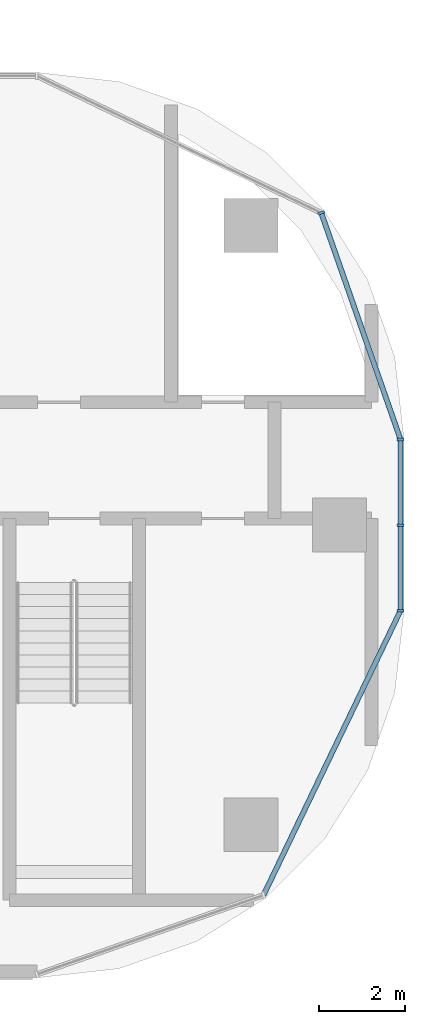
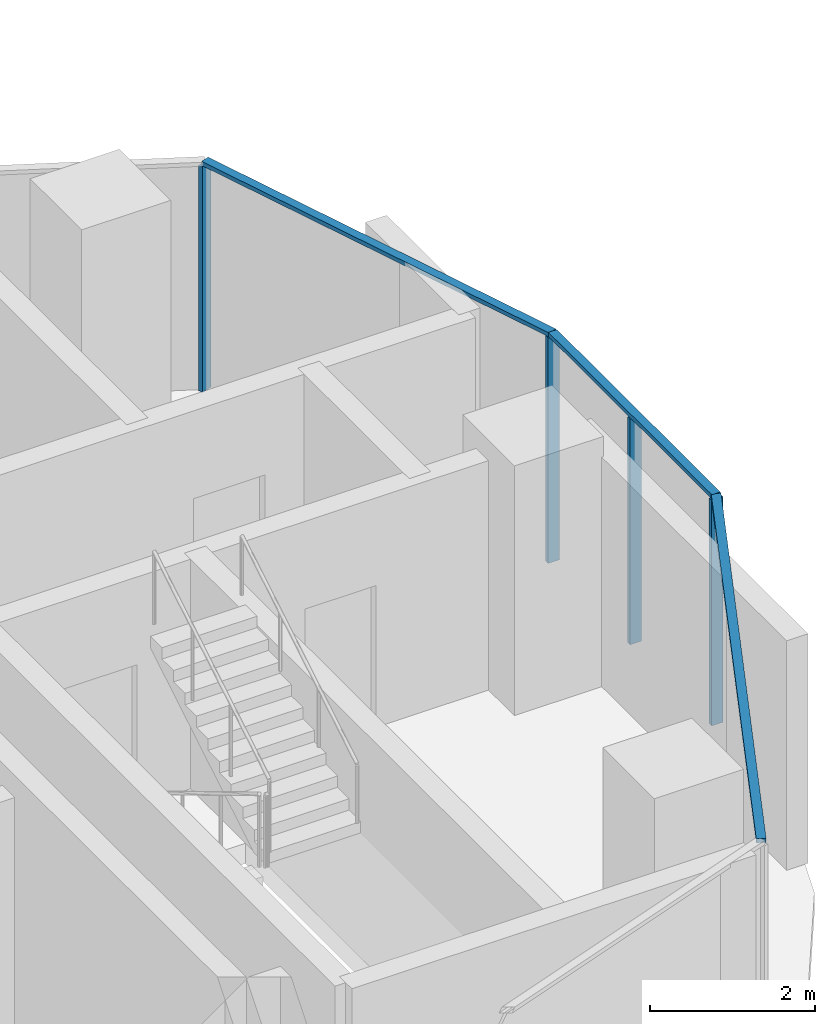
# One storey, part 5 of 21: 7 members, 3 elements without a shape of their own.
"""IFC4 building model written with IfcOpenShell, lengths in metres."""

from ifc_helpers import new_model, si_unit, direction, frame, origin, origin_2d, place, context, subcontext, project, spatial, rectangle, extrude, material, material_profile, profile_set, type_object, element, aggregate, save


model = new_model("IFC4")

# Units and contexts
model_context = context("Model", 3, precision=1e-05, world=origin(), true_north=direction((0.0, 1.0)))
body_context = subcontext(model_context, "Body", "Model", "MODEL_VIEW")
ifc_project = project(units=[si_unit("LENGTHUNIT", "METRE"), si_unit("AREAUNIT", "SQUARE_METRE"), si_unit("VOLUMEUNIT", "CUBIC_METRE"), si_unit("PLANEANGLEUNIT", "RADIAN"), si_unit("MASSUNIT", "GRAM", prefix="KILO")], contexts=[model_context])

# Site, building, storey
site_placement = place(None, origin())
site = spatial("IfcSite", under=ifc_project, at=site_placement, CompositionType="ELEMENT")
building_placement = place(site_placement, origin())
building = spatial("IfcBuilding", under=site, at=building_placement, Name="Ogive Portal Towers", CompositionType="ELEMENT")
storey_placement = place(building_placement, frame((0.0, 0.0, 109.300048828125)))
storey = spatial("IfcBuildingStorey", under=building, at=storey_placement, Name="L26", CompositionType="ELEMENT", Elevation=109.300048828125)

# Curtain wall, members
ifc_material_1 = material(Name="Glass, clear low-iron insulated glazing", Category="glass")
curtain_wall_type = type_object("IfcCurtainWallType", Name="CW FRONT RIBBON 4500", PredefinedType="NOTDEFINED", material=ifc_material_1)
curtain_wall_1_placement = place(storey_placement, origin())
curtain_wall_1 = element("IfcCurtainWall", 1, at=curtain_wall_1_placement, inside=storey, type_object=curtain_wall_type, Name="A:L26:f09:cw0", PredefinedType="NOTDEFINED")
ifc_material_2 = material(Name="Aluminium 6063 anodised", Category="aluminium")
ifc_material_profile_1 = material_profile(ifc_material_2, rectangle(XDim=0.159912109375, YDim=0.06005859375, at=origin_2d()), Name="AL 60x160")
ifc_profile_set_1 = profile_set([ifc_material_profile_1], Name="Aluminium 6063 anodised")
member_type_1 = type_object("IfcMemberType", Name="CW MULLION 60x160", PredefinedType="MULLION", material=ifc_profile_set_1)
member_1_placement = place(storey_placement, frame((95.919921875, 28.518310546875, 0.0), z_axis=(0.0, 0.0, 1.0), x_axis=(-1.0, 0.0, 0.0)))
member_1 = element("IfcMember", 2, at=member_1_placement, type_object=member_type_1, Name="mullion", PredefinedType="MULLION", context=body_context, shape_type="SweptSolid", body=[
    extrude(rectangle(XDim=0.159912109375, YDim=0.06005859375, at=origin_2d()), origin(), (0.0, 0.0, 1.0), 3.33984375),
])
member_2_placement = place(storey_placement, frame((95.919921875, 30.5, 0.0), z_axis=(0.0, 0.0, 1.0), x_axis=(-1.0, 0.0, 0.0)))
member_2 = element("IfcMember", 3, at=member_2_placement, type_object=member_type_1, Name="mullion", PredefinedType="MULLION", context=body_context, shape_type="SweptSolid", body=[
    extrude(rectangle(XDim=0.159912109375, YDim=0.06005859375, at=origin_2d()), origin(), (0.0, 0.0, 1.0), 3.33984375),
])
member_3_placement = place(storey_placement, frame((95.919921875, 32.486328125, 0.0), z_axis=(0.0, 0.0, 1.0), x_axis=(-1.0, 0.0, 0.0)))
member_3 = element("IfcMember", 4, at=member_3_placement, type_object=member_type_1, Name="mullion", PredefinedType="MULLION", context=body_context, shape_type="SweptSolid", body=[
    extrude(rectangle(XDim=0.159912109375, YDim=0.06005859375, at=origin_2d()), origin(), (0.0, 0.0, 1.0), 3.33984375),
])

# Curtain wall, member
curtain_wall_2_placement = place(storey_placement, origin())
curtain_wall_2 = element("IfcCurtainWall", 5, at=curtain_wall_2_placement, inside=storey, type_object=curtain_wall_type, Name="A:L26:f10:cwa", PredefinedType="NOTDEFINED")
member_4_placement = place(storey_placement, frame((94.0810546875, 37.741943359375, 0.0), z_axis=(0.0, 0.0, 1.0), x_axis=(-0.943883330307, -0.33027906196, 0.0)))
member_4 = element("IfcMember", 6, at=member_4_placement, type_object=member_type_1, Name="mullion", PredefinedType="MULLION", context=body_context, shape_type="SweptSolid", body=[
    extrude(rectangle(XDim=0.159912109375, YDim=0.06005859375, at=origin_2d()), origin(), (0.0, 0.0, 1.0), 3.33984375),
])

# Member
ifc_material_profile_2 = material_profile(ifc_material_2, rectangle(XDim=0.1201171875, YDim=0.06005859375, at=origin_2d()), Name="AL 120x60")
ifc_profile_set_2 = profile_set([ifc_material_profile_2], Name="Aluminium 6063 anodised")
member_type_2 = type_object("IfcMemberType", Name="CW TRANSOM 60x120", PredefinedType="USERDEFINED", material=ifc_profile_set_2)
member_5_placement = place(storey_placement, frame((95.919921875, 28.518310546875, 3.369873046875), z_axis=(0.0, 1.0, 0.0), x_axis=(-1.0, 0.0, 0.0)))
member_5 = element("IfcMember", 7, at=member_5_placement, type_object=member_type_2, Name="transom", ObjectType="TRANSOM", PredefinedType="USERDEFINED", context=body_context, shape_type="SweptSolid", body=[
    extrude(rectangle(XDim=0.1201171875, YDim=0.06005859375, at=origin_2d()), origin(), (0.0, 0.0, 1.0), 3.968017578125),
])

aggregate(curtain_wall_1, [member_5, member_1, member_2, member_3])

# Curtain wall, member
curtain_wall_3_placement = place(storey_placement, origin())
curtain_wall_3 = element("IfcCurtainWall", 8, at=curtain_wall_3_placement, inside=storey, type_object=curtain_wall_type, Name="A:L26:f07:cwa", PredefinedType="NOTDEFINED")
member_6_placement = place(storey_placement, frame((92.741943359375, 21.9189453125, 3.369873046875), z_axis=(0.433871738997, 0.900974646757, 0.0), x_axis=(-0.900974646757, 0.433871738997, 0.0)))
member_6 = element("IfcMember", 9, at=member_6_placement, type_object=member_type_2, Name="transom", ObjectType="TRANSOM", PredefinedType="USERDEFINED", context=body_context, shape_type="SweptSolid", body=[
    extrude(rectangle(XDim=0.1201171875, YDim=0.06005859375, at=origin_2d()), origin(), (0.0, 0.0, 1.0), 7.32470703125),
])
aggregate(curtain_wall_3, [member_6])

# Member
member_7_placement = place(storey_placement, frame((95.919921875, 32.486328125, 3.369873046875), z_axis=(-0.330254721593, 0.943891847017, 0.0), x_axis=(-0.943891847017, -0.330254721593, 0.0)))
member_7 = element("IfcMember", 10, at=member_7_placement, type_object=member_type_2, Name="transom", ObjectType="TRANSOM", PredefinedType="USERDEFINED", context=body_context, shape_type="SweptSolid", body=[
    extrude(rectangle(XDim=0.1201171875, YDim=0.06005859375, at=origin_2d()), origin(), (0.0, 0.0, 1.0), 5.568115234375),
])

aggregate(curtain_wall_2, [member_7, member_4])

save(model, "model.ifc")
